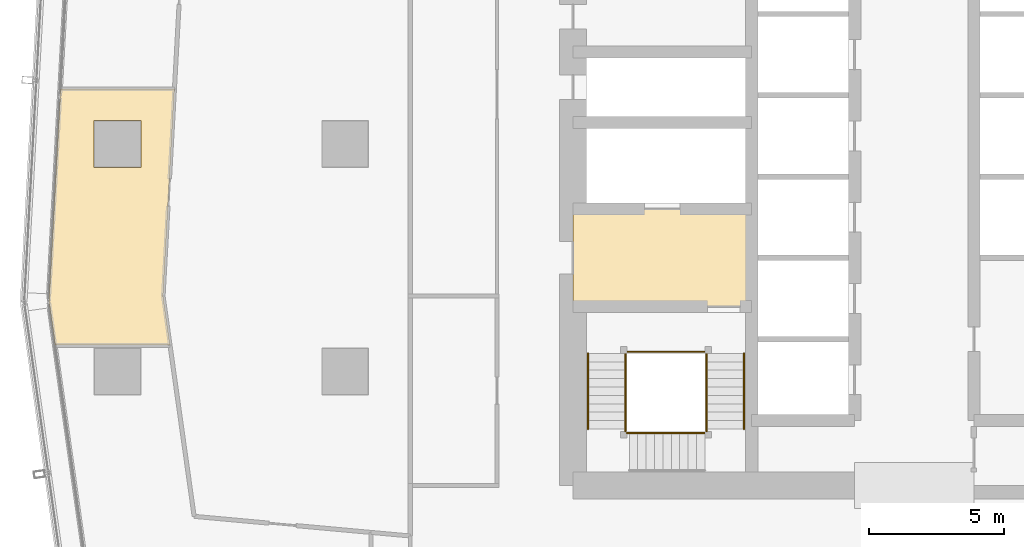
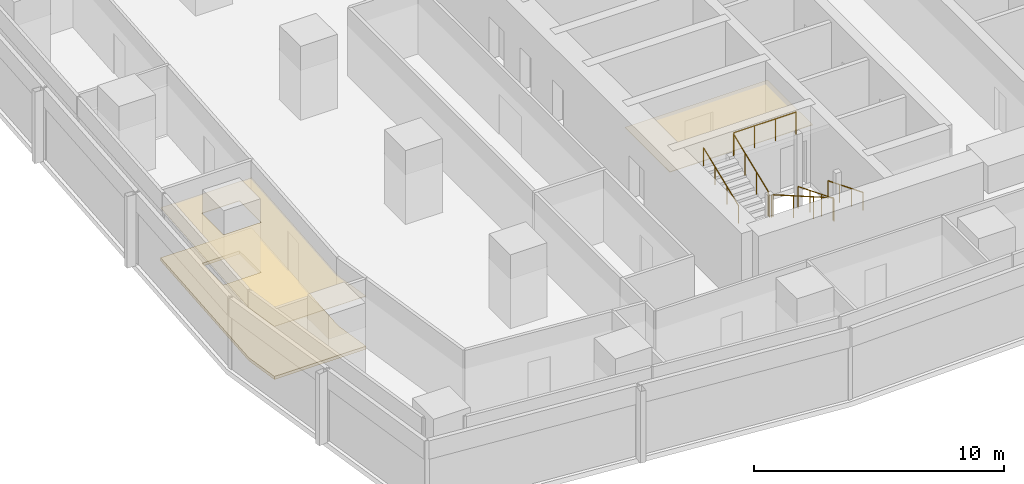
# One storey, part 34 of 40: 9 railings, 3 coverings.
"""IFC4 building model written with IfcOpenShell, lengths in metres."""

from ifc_helpers import new_model, si_unit, direction, frame, origin, origin_2d, place, context, subcontext, project, spatial, polyline, circle, outline, extrude, material, layer, layer_set, type_object, element, save


model = new_model("IFC4")

# Units and contexts
model_context = context("Model", 3, precision=1e-05, world=origin(), true_north=direction((0.0, 1.0)))
body_context = subcontext(model_context, "Body", "Model", "MODEL_VIEW")
ifc_project = project(units=[si_unit("LENGTHUNIT", "METRE"), si_unit("AREAUNIT", "SQUARE_METRE"), si_unit("VOLUMEUNIT", "CUBIC_METRE"), si_unit("PLANEANGLEUNIT", "RADIAN"), si_unit("MASSUNIT", "GRAM", prefix="KILO")], contexts=[model_context])

# Site, building, storey
site_placement = place(None, origin())
site = spatial("IfcSite", under=ifc_project, at=site_placement, CompositionType="ELEMENT")
building_placement = place(site_placement, origin())
building = spatial("IfcBuilding", under=site, at=building_placement, Name="Rekha Terrace Tower", CompositionType="ELEMENT")
storey_placement = place(building_placement, frame((0.0, 0.0, 125.300048828125)))
storey = spatial("IfcBuildingStorey", under=building, at=storey_placement, Name="L31", CompositionType="ELEMENT", Elevation=125.300048828125)

# Coverings
ifc_material_1 = material(Name="Mineral fibre tile in exposed grid", Category="finish")
ifc_layer_1 = layer(ifc_material_1, 0.02001953125)
ifc_layer_set_1 = layer_set([ifc_layer_1], Name="Mineral fibre tile in exposed grid")
covering_type_1 = type_object("IfcCoveringType", Name="CL1 600x1200 office grid ceiling", PredefinedType="CEILING", material=ifc_layer_set_1)
covering_1_placement = place(storey_placement, frame((0.0, 0.0, 2.579833984375)))
element("IfcCovering", 1, at=covering_1_placement, inside=storey, type_object=covering_type_1, Name="Ceiling L31-20", PredefinedType="CEILING", context=body_context, shape_type="SweptSolid", body=[
    extrude(outline(polyline([(10.080078125, 27.992919921875), (10.4990234375, 35.634033203125), (6.29296875, 35.634033203125), (5.864013671875, 27.81298828125), (6.094970703125, 26.177001953125), (10.3359375, 26.177001953125), (10.080078125, 27.992919921875)]), holes=[polyline([(9.264892578125, 32.735107421875), (7.534912109375, 32.735107421875), (7.534912109375, 34.465087890625), (9.264892578125, 34.465087890625), (9.264892578125, 32.735107421875)])]), origin(), (0.0, 0.0, 1.0), 0.02001953125),
])
ifc_material_2 = material(Name="Powder-coated aluminium pan", Category="aluminium")
ifc_layer_2 = layer(ifc_material_2, 0.030029296875)
ifc_layer_set_2 = layer_set([ifc_layer_2], Name="Powder-coated aluminium pan")
covering_type_2 = type_object("IfcCoveringType", Name="CL3 300x1200 metal pan ceiling", PredefinedType="CEILING", material=ifc_layer_set_2)
covering_2_placement = place(storey_placement, frame((0.0, 0.0, 2.570068359375)))
element("IfcCovering", 2, at=covering_2_placement, inside=storey, type_object=covering_type_2, Name="Ceiling L31-FLB1", PredefinedType="CEILING", context=body_context, shape_type="SweptSolid", body=[
    extrude(outline(polyline([(31.800048828125, 31.199951171875), (25.199951171875, 31.199951171875), (25.199951171875, 27.60009765625), (31.800048828125, 27.60009765625), (31.800048828125, 31.199951171875)])), origin(), (0.0, 0.0, 1.0), 0.02978515625),
])

# Railings
ifc_material_3 = material(Name="Stainless steel balustrade", Category="steel")
railing_type_1 = type_object("IfcRailingType", Name="GR1 1100 stair guard", PredefinedType="GUARDRAIL", material=ifc_material_3)
railing_1_placement = place(storey_placement, frame((30.135009765625, 25.875, 0.125)))
element("IfcRailing", 3, at=railing_1_placement, inside=storey, type_object=railing_type_1, Name="Guard ST1 L31 flight 1", PredefinedType="GUARDRAIL", context=body_context, shape_type="SweptSolid", body=[
    extrude(circle(Radius=0.02392578125, at=origin_2d()), frame((0.0, 0.0, 1.076171875), z_axis=(0.0, -0.927443287984, 0.373963831907), x_axis=(1.0, 0.0, 0.0)), (0.0, 0.0, 1.0), 3.00830078125),
    extrude(circle(Radius=0.02099609375, at=origin_2d()), origin(), (0.0, 0.0, 1.0), 1.052001953125),
    extrude(circle(Radius=0.02099609375, at=origin_2d()), frame((0.0, -0.929931640625, 0.375)), (0.0, 0.0, 1.0), 1.052001953125),
    extrude(circle(Radius=0.02099609375, at=origin_2d()), frame((0.0, -1.860107421875, 0.75)), (0.0, 0.0, 1.0), 1.052001953125),
    extrude(circle(Radius=0.02099609375, at=origin_2d()), frame((0.0, -2.7900390625, 1.125)), (0.0, 0.0, 1.0), 1.052001953125),
])
railing_2_placement = place(storey_placement, frame((30.074951171875, 22.93994140625, 1.375)))
element("IfcRailing", 4, at=railing_2_placement, inside=storey, type_object=railing_type_1, Name="Guard ST1 L31 flight 2", PredefinedType="GUARDRAIL", context=body_context, shape_type="SweptSolid", body=[
    extrude(circle(Radius=0.02392578125, at=origin_2d()), frame((0.0, 0.0, 1.076171875), z_axis=(-0.927443287984, 0.0, 0.373963831907), x_axis=(0.0, -1.0, 0.0)), (0.0, 0.0, 1.0), 3.00830078125),
    extrude(circle(Radius=0.02099609375, at=origin_2d()), origin(), (0.0, 0.0, 1.0), 1.052001953125),
    extrude(circle(Radius=0.02099609375, at=origin_2d()), frame((-0.929931640625, 0.0, 0.375)), (0.0, 0.0, 1.0), 1.052001953125),
    extrude(circle(Radius=0.02099609375, at=origin_2d()), frame((-1.860107421875, 0.0, 0.75)), (0.0, 0.0, 1.0), 1.052001953125),
    extrude(circle(Radius=0.02099609375, at=origin_2d()), frame((-2.7900390625, 0.0, 1.125)), (0.0, 0.0, 1.0), 1.052001953125),
])
railing_3_placement = place(storey_placement, frame((27.139892578125, 23.0849609375, 2.625)))
element("IfcRailing", 5, at=railing_3_placement, inside=storey, type_object=railing_type_1, Name="Guard ST1 L31 flight 3", PredefinedType="GUARDRAIL", context=body_context, shape_type="SweptSolid", body=[
    extrude(circle(Radius=0.02392578125, at=origin_2d()), frame((0.0, 0.0, 1.076171875), z_axis=(0.0, 0.927443287984, 0.373963831907), x_axis=(-1.0, 0.0, 0.0)), (0.0, 0.0, 1.0), 3.00830078125),
    extrude(circle(Radius=0.02099609375, at=origin_2d()), origin(), (0.0, 0.0, 1.0), 1.052001953125),
    extrude(circle(Radius=0.02099609375, at=origin_2d()), frame((0.0, 0.929931640625, 0.375)), (0.0, 0.0, 1.0), 1.052001953125),
    extrude(circle(Radius=0.02099609375, at=origin_2d()), frame((0.0, 1.860107421875, 0.75)), (0.0, 0.0, 1.0), 1.052001953125),
    extrude(circle(Radius=0.02099609375, at=origin_2d()), frame((0.0, 2.7900390625, 1.125)), (0.0, 0.0, 1.0), 1.052001953125),
])
railing_4_placement = place(storey_placement, frame((30.135009765625, 23.0849609375, 1.25)))
element("IfcRailing", 6, at=railing_4_placement, inside=storey, type_object=railing_type_1, Name="Guard ST1 L31 landing 1", PredefinedType="GUARDRAIL", context=body_context, shape_type="SweptSolid", body=[
    extrude(circle(Radius=0.02392578125, at=origin_2d()), frame((0.0, 0.0, 1.076171875), z_axis=(0.0, -1.0, 0.0), x_axis=(1.0, 0.0, 0.0)), (0.0, 0.0, 1.0), 0.0849609375),
    extrude(circle(Radius=0.02099609375, at=origin_2d()), origin(), (0.0, 0.0, 1.0), 1.052001953125),
    extrude(circle(Radius=0.02099609375, at=origin_2d()), frame((0.0, -0.0849609375, 0.0)), (0.0, 0.0, 1.0), 1.052001953125),
])
railing_5_placement = place(storey_placement, frame((27.284912109375, 22.93994140625, 2.5)))
element("IfcRailing", 7, at=railing_5_placement, inside=storey, type_object=railing_type_1, Name="Guard ST1 L31 landing 2", PredefinedType="GUARDRAIL", context=body_context, shape_type="SweptSolid", body=[
    extrude(circle(Radius=0.02392578125, at=origin_2d()), frame((0.0, 0.0, 1.076171875), z_axis=(-1.0, 0.0, 0.0), x_axis=(0.0, -1.0, 0.0)), (0.0, 0.0, 1.0), 0.0849609375),
    extrude(circle(Radius=0.02099609375, at=origin_2d()), origin(), (0.0, 0.0, 1.0), 1.052001953125),
    extrude(circle(Radius=0.02099609375, at=origin_2d()), frame((-0.0849609375, 0.0, 0.0)), (0.0, 0.0, 1.0), 1.052001953125),
])
railing_6_placement = place(storey_placement, frame((27.139892578125, 23.0849609375, 2.5)))
element("IfcRailing", 8, at=railing_6_placement, inside=storey, type_object=railing_type_1, Name="Guard ST1 L31 landing 3", PredefinedType="GUARDRAIL", context=body_context, shape_type="SweptSolid", body=[
    extrude(circle(Radius=0.02392578125, at=origin_2d()), frame((0.0, 0.0, 1.076171875), z_axis=(0.0, -1.0, 0.0), x_axis=(1.0, 0.0, 0.0)), (0.0, 0.0, 1.0), 0.0849609375),
    extrude(circle(Radius=0.02099609375, at=origin_2d()), origin(), (0.0, 0.0, 1.0), 1.052001953125),
    extrude(circle(Radius=0.02099609375, at=origin_2d()), frame((0.0, -0.0849609375, 0.0)), (0.0, 0.0, 1.0), 1.052001953125),
])
railing_7_placement = place(storey_placement, frame((30.074951171875, 25.93505859375, 3.75)))
element("IfcRailing", 9, at=railing_7_placement, inside=storey, type_object=railing_type_1, Name="Guard ST1 L31 landing 4", PredefinedType="GUARDRAIL", context=body_context, shape_type="SweptSolid", body=[
    extrude(circle(Radius=0.02392578125, at=origin_2d()), frame((0.0, 0.0, 1.076171875), z_axis=(-1.0, 0.0, 0.0), x_axis=(0.0, -1.0, 0.0)), (0.0, 0.0, 1.0), 2.875),
    extrude(circle(Radius=0.02099609375, at=origin_2d()), origin(), (0.0, 0.0, 1.0), 1.052001953125),
    extrude(circle(Radius=0.02099609375, at=origin_2d()), frame((-0.958251953125, 0.0, 0.0)), (0.0, 0.0, 1.0), 1.052001953125),
    extrude(circle(Radius=0.02099609375, at=origin_2d()), frame((-1.916748046875, 0.0, 0.0)), (0.0, 0.0, 1.0), 1.052001953125),
    extrude(circle(Radius=0.02099609375, at=origin_2d()), frame((-2.875, 0.0, 0.0)), (0.0, 0.0, 1.0), 1.052001953125),
])
ifc_material_4 = material(Name="Stainless steel tube", Category="steel")
railing_type_2 = type_object("IfcRailingType", Name="HR1 900 stair handrail", PredefinedType="HANDRAIL", material=ifc_material_4)
railing_8_placement = place(storey_placement, frame((31.514892578125, 25.875, 0.125)))
element("IfcRailing", 10, at=railing_8_placement, inside=storey, type_object=railing_type_2, Name="Handrail ST1 L31 flight 1", PredefinedType="HANDRAIL", context=body_context, shape_type="SweptSolid", body=[
    extrude(circle(Radius=0.02392578125, at=origin_2d()), frame((0.0, 0.0, 0.8759765625), z_axis=(0.0, -0.927443287984, 0.373963831907), x_axis=(1.0, 0.0, 0.0)), (0.0, 0.0, 1.0), 3.00830078125),
    extrude(circle(Radius=0.02099609375, at=origin_2d()), origin(), (0.0, 0.0, 1.0), 0.851806640625),
    extrude(circle(Radius=0.02099609375, at=origin_2d()), frame((0.0, -0.929931640625, 0.375)), (0.0, 0.0, 1.0), 0.851806640625),
    extrude(circle(Radius=0.02099609375, at=origin_2d()), frame((0.0, -1.860107421875, 0.75)), (0.0, 0.0, 1.0), 0.851806640625),
    extrude(circle(Radius=0.02099609375, at=origin_2d()), frame((0.0, -2.7900390625, 1.125)), (0.0, 0.0, 1.0), 0.851806640625),
])
railing_9_placement = place(storey_placement, frame((25.760009765625, 23.0849609375, 2.625)))
element("IfcRailing", 11, at=railing_9_placement, inside=storey, type_object=railing_type_2, Name="Handrail ST1 L31 flight 3", PredefinedType="HANDRAIL", context=body_context, shape_type="SweptSolid", body=[
    extrude(circle(Radius=0.02392578125, at=origin_2d()), frame((0.0, 0.0, 0.8759765625), z_axis=(0.0, 0.927443287984, 0.373963831907), x_axis=(-1.0, 0.0, 0.0)), (0.0, 0.0, 1.0), 3.00830078125),
    extrude(circle(Radius=0.02099609375, at=origin_2d()), origin(), (0.0, 0.0, 1.0), 0.851806640625),
    extrude(circle(Radius=0.02099609375, at=origin_2d()), frame((0.0, 0.929931640625, 0.375)), (0.0, 0.0, 1.0), 0.851806640625),
    extrude(circle(Radius=0.02099609375, at=origin_2d()), frame((0.0, 1.860107421875, 0.75)), (0.0, 0.0, 1.0), 0.851806640625),
    extrude(circle(Radius=0.02099609375, at=origin_2d()), frame((0.0, 2.7900390625, 1.125)), (0.0, 0.0, 1.0), 0.851806640625),
])

# Covering
ifc_material_5 = material(Name="Calcium sulphate panels on steel pedestals", Category="steel")
ifc_layer_3 = layer(ifc_material_5, 0.14990234375)
ifc_layer_set_3 = layer_set([ifc_layer_3], Name="Calcium sulphate panels on steel pedestals")
covering_type_3 = type_object("IfcCoveringType", Name="RF1 150 raised access floor", PredefinedType="FLOORING", material=ifc_layer_set_3)
covering_3_placement = place(storey_placement, origin())
element("IfcCovering", 12, at=covering_3_placement, inside=storey, type_object=covering_type_3, Name="Raised floor L31-20", PredefinedType="FLOORING", context=body_context, shape_type="SweptSolid", body=[
    extrude(outline(polyline([(10.080078125, 27.992919921875), (10.4990234375, 35.634033203125), (6.29296875, 35.634033203125), (5.864013671875, 27.81298828125), (6.094970703125, 26.177001953125), (10.3359375, 26.177001953125), (10.080078125, 27.992919921875)]), holes=[polyline([(9.264892578125, 32.735107421875), (7.534912109375, 32.735107421875), (7.534912109375, 34.465087890625), (9.264892578125, 34.465087890625), (9.264892578125, 32.735107421875)])]), origin(), (0.0, 0.0, 1.0), 0.14990234375),
])

save(model, "model.ifc")
